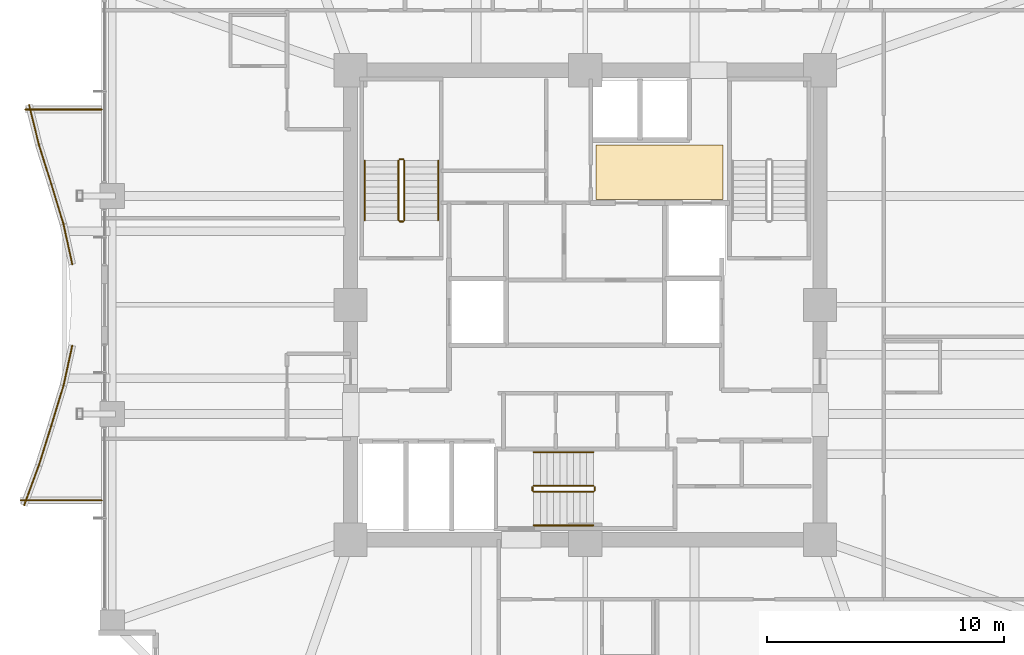
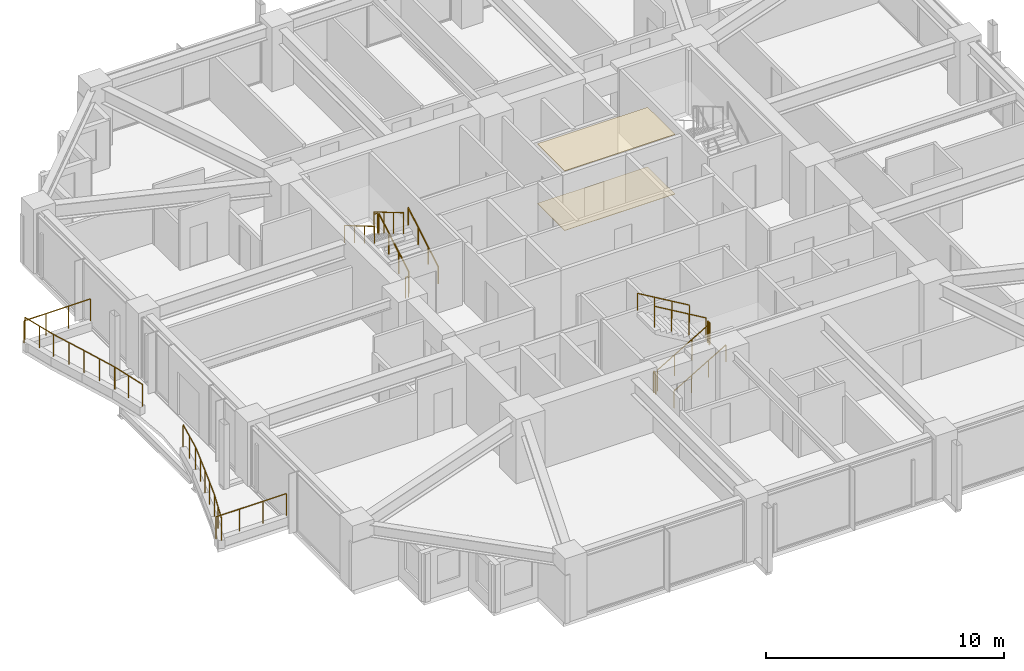
# One storey, part 36 of 37: 22 railings, 2 coverings.
"""IFC4 building model written with IfcOpenShell, lengths in metres."""

from ifc_helpers import new_model, si_unit, direction, frame, origin, origin_2d, place, context, subcontext, project, spatial, polyline, circle, outline, extrude, material, layer, layer_set, type_object, element, save


model = new_model("IFC4")

# Units and contexts
model_context = context("Model", 3, precision=1e-05, world=origin(), true_north=direction((0.0, 1.0)))
body_context = subcontext(model_context, "Body", "Model", "MODEL_VIEW")
ifc_project = project(units=[si_unit("LENGTHUNIT", "METRE"), si_unit("AREAUNIT", "SQUARE_METRE"), si_unit("VOLUMEUNIT", "CUBIC_METRE"), si_unit("PLANEANGLEUNIT", "RADIAN"), si_unit("MASSUNIT", "GRAM", prefix="KILO")], contexts=[model_context])

# Site, building, storey
site_placement = place(None, origin())
site = spatial("IfcSite", under=ifc_project, at=site_placement, CompositionType="ELEMENT")
building_placement = place(site_placement, origin())
building = spatial("IfcBuilding", under=site, at=building_placement, Name="Kolvaren Belvedere", CompositionType="ELEMENT")
storey_placement = place(building_placement, frame((0.0, 0.0, 82.10009765625)))
storey = spatial("IfcBuildingStorey", under=building, at=storey_placement, Name="L23", CompositionType="ELEMENT", Elevation=82.10009765625)

# Coverings
ifc_material_1 = material(Name="Acoustic perforated gypsum board", Category="gypsum")
ifc_layer_1 = layer(ifc_material_1, 0.02490234375)
ifc_layer_set_1 = layer_set([ifc_layer_1], Name="Acoustic perforated gypsum board")
covering_type_1 = type_object("IfcCoveringType", Name="COV-CEIL-GYP", PredefinedType="CEILING", material=ifc_layer_set_1)
covering_1_placement = place(storey_placement, frame((0.0, 0.0, 3.054931640625)))
element("IfcCovering", 1, at=covering_1_placement, inside=storey, type_object=covering_type_1, Name="L23 Lift Lobby Acoustic Baffle Ceiling", PredefinedType="CEILING", context=body_context, shape_type="SweptSolid", body=[
    extrude(outline(polyline([(0.449951171875, 4.449951171875), (5.800048828125, 4.449951171875), (5.800048828125, 6.75), (0.449951171875, 6.75), (0.449951171875, 4.449951171875)])), origin(), (0.0, 0.0, 1.0), 0.02490234375),
])
ifc_material_2 = material(Name="Engineered Pacific white oak", Category="timber")
ifc_layer_2 = layer(ifc_material_2, 0.02001953125)
ifc_layer_set_2 = layer_set([ifc_layer_2], Name="Engineered Pacific white oak")
covering_type_2 = type_object("IfcCoveringType", Name="COV-FLR-OAK", PredefinedType="FLOORING", material=ifc_layer_set_2)
covering_2_placement = place(storey_placement, origin())
element("IfcCovering", 2, at=covering_2_placement, inside=storey, type_object=covering_type_2, Name="L23 Lift Lobby Finish Flooring", PredefinedType="FLOORING", context=body_context, shape_type="SweptSolid", body=[
    extrude(outline(polyline([(0.449951171875, 4.449951171875), (5.800048828125, 4.449951171875), (5.800048828125, 6.75), (0.449951171875, 6.75), (0.449951171875, 4.449951171875)])), origin(), (0.0, 0.0, 1.0), 0.02001953125),
])

# Railings
ifc_material_3 = material(Name="Anodised pale-metal aluminium & laminated glass guard", Category="aluminium")
railing_type_1 = type_object("IfcRailingType", Name="RL-GUARD-1150", PredefinedType="GUARDRAIL", material=ifc_material_3)
railing_1_placement = place(storey_placement, frame((-23.458251953125, 8.438232421875, 0.3798828125)))
element("IfcRailing", 3, at=railing_1_placement, inside=storey, type_object=railing_type_1, Name="L23 Exterior Deck Safety Guard BAL-W-1", PredefinedType="GUARDRAIL", context=body_context, shape_type="SweptSolid", body=[
    extrude(circle(Radius=0.02392578125, at=origin_2d()), frame((0.0, 0.0, 1.1259765625), z_axis=(0.239180748277, -0.970975061293, 0.0), x_axis=(0.970975061293, 0.239180748277, 0.0)), (0.0, 0.0, 1.0), 1.730224609375),
    extrude(circle(Radius=0.02099609375, at=origin_2d()), origin(), (0.0, 0.0, 1.0), 1.101806640625),
    extrude(circle(Radius=0.02099609375, at=origin_2d()), frame((0.20703125, -0.83984375, 0.0)), (0.0, 0.0, 1.0), 1.101806640625),
    extrude(circle(Radius=0.02099609375, at=origin_2d()), frame((0.413818359375, -1.679931640625, 0.0)), (0.0, 0.0, 1.0), 1.101806640625),
])
railing_2_placement = place(storey_placement, frame((-23.047119140625, 6.767822265625, 0.3798828125)))
element("IfcRailing", 4, at=railing_2_placement, inside=storey, type_object=railing_type_1, Name="L23 Exterior Deck Safety Guard BAL-W-2", PredefinedType="GUARDRAIL", context=body_context, shape_type="SweptSolid", body=[
    extrude(circle(Radius=0.02392578125, at=origin_2d()), frame((0.0, 0.0, 1.1259765625), z_axis=(0.299624691176, -0.954057149461, 0.0), x_axis=(0.954057149461, 0.299624691176, 0.0)), (0.0, 0.0, 1.0), 1.7607421875),
    extrude(circle(Radius=0.02099609375, at=origin_2d()), origin(), (0.0, 0.0, 1.0), 1.101806640625),
    extrude(circle(Radius=0.02099609375, at=origin_2d()), frame((0.263671875, -0.83984375, 0.0)), (0.0, 0.0, 1.0), 1.101806640625),
    extrude(circle(Radius=0.02099609375, at=origin_2d()), frame((0.527587890625, -1.679931640625, 0.0)), (0.0, 0.0, 1.0), 1.101806640625),
])
railing_3_placement = place(storey_placement, frame((-22.51904296875, 5.086669921875, 0.3798828125)))
element("IfcRailing", 5, at=railing_3_placement, inside=storey, type_object=railing_type_1, Name="L23 Exterior Deck Safety Guard BAL-W-3", PredefinedType="GUARDRAIL", context=body_context, shape_type="SweptSolid", body=[
    extrude(circle(Radius=0.02392578125, at=origin_2d()), frame((0.0, 0.0, 1.1259765625), z_axis=(0.290840734999, -0.956771481005, 0.0), x_axis=(0.956771481005, 0.290840734999, 0.0)), (0.0, 0.0, 1.0), 1.756103515625),
    extrude(circle(Radius=0.02099609375, at=origin_2d()), origin(), (0.0, 0.0, 1.0), 1.101806640625),
    extrude(circle(Radius=0.02099609375, at=origin_2d()), frame((0.25537109375, -0.840087890625, 0.0)), (0.0, 0.0, 1.0), 1.101806640625),
    extrude(circle(Radius=0.02099609375, at=origin_2d()), frame((0.5107421875, -1.68017578125, 0.0)), (0.0, 0.0, 1.0), 1.101806640625),
])
railing_4_placement = place(storey_placement, frame((-22.0048828125, 3.394287109375, 0.3798828125)))
element("IfcRailing", 6, at=railing_4_placement, inside=storey, type_object=railing_type_1, Name="L23 Exterior Deck Safety Guard BAL-W-4", PredefinedType="GUARDRAIL", context=body_context, shape_type="SweptSolid", body=[
    extrude(circle(Radius=0.02392578125, at=origin_2d()), frame((0.0, 0.0, 1.1259765625), z_axis=(0.213773077423, -0.976883345835, 0.0), x_axis=(0.976883345835, 0.213773077423, 0.0)), (0.0, 0.0, 1.0), 1.719970703125),
    extrude(circle(Radius=0.02099609375, at=origin_2d()), origin(), (0.0, 0.0, 1.0), 1.101806640625),
    extrude(circle(Radius=0.02099609375, at=origin_2d()), frame((0.183837890625, -0.840087890625, 0.0)), (0.0, 0.0, 1.0), 1.101806640625),
    extrude(circle(Radius=0.02099609375, at=origin_2d()), frame((0.36767578125, -1.68017578125, 0.0)), (0.0, 0.0, 1.0), 1.101806640625),
])
railing_5_placement = place(storey_placement, frame((-21.63720703125, -1.714111328125, 0.3798828125)))
element("IfcRailing", 7, at=railing_5_placement, inside=storey, type_object=railing_type_1, Name="L23 Exterior Deck Safety Guard BAL-W-7", PredefinedType="GUARDRAIL", context=body_context, shape_type="SweptSolid", body=[
    extrude(circle(Radius=0.02392578125, at=origin_2d()), frame((0.0, 0.0, 1.1259765625), z_axis=(-0.213773077423, -0.976883345835, 0.0), x_axis=(0.976883345835, -0.213773077423, 0.0)), (0.0, 0.0, 1.0), 1.719970703125),
    extrude(circle(Radius=0.02099609375, at=origin_2d()), origin(), (0.0, 0.0, 1.0), 1.101806640625),
    extrude(circle(Radius=0.02099609375, at=origin_2d()), frame((-0.183837890625, -0.840087890625, 0.0)), (0.0, 0.0, 1.0), 1.101806640625),
    extrude(circle(Radius=0.02099609375, at=origin_2d()), frame((-0.36767578125, -1.68017578125, 0.0)), (0.0, 0.0, 1.0), 1.101806640625),
])
railing_6_placement = place(storey_placement, frame((-22.00830078125, -3.406494140625, 0.3798828125)))
element("IfcRailing", 8, at=railing_6_placement, inside=storey, type_object=railing_type_1, Name="L23 Exterior Deck Safety Guard BAL-W-8", PredefinedType="GUARDRAIL", context=body_context, shape_type="SweptSolid", body=[
    extrude(circle(Radius=0.02392578125, at=origin_2d()), frame((0.0, 0.0, 1.1259765625), z_axis=(-0.290840734999, -0.956771481005, 0.0), x_axis=(0.956771481005, -0.290840734999, 0.0)), (0.0, 0.0, 1.0), 1.756103515625),
    extrude(circle(Radius=0.02099609375, at=origin_2d()), origin(), (0.0, 0.0, 1.0), 1.101806640625),
    extrude(circle(Radius=0.02099609375, at=origin_2d()), frame((-0.25537109375, -0.840087890625, 0.0)), (0.0, 0.0, 1.0), 1.101806640625),
    extrude(circle(Radius=0.02099609375, at=origin_2d()), frame((-0.5107421875, -1.68017578125, 0.0)), (0.0, 0.0, 1.0), 1.101806640625),
])
railing_7_placement = place(storey_placement, frame((-22.51953125, -5.087890625, 0.3798828125)))
element("IfcRailing", 9, at=railing_7_placement, inside=storey, type_object=railing_type_1, Name="L23 Exterior Deck Safety Guard BAL-W-9", PredefinedType="GUARDRAIL", context=body_context, shape_type="SweptSolid", body=[
    extrude(circle(Radius=0.02392578125, at=origin_2d()), frame((0.0, 0.0, 1.1259765625), z_axis=(-0.299624691176, -0.954057149461, 0.0), x_axis=(0.954057149461, -0.299624691176, 0.0)), (0.0, 0.0, 1.0), 1.7607421875),
    extrude(circle(Radius=0.02099609375, at=origin_2d()), origin(), (0.0, 0.0, 1.0), 1.101806640625),
    extrude(circle(Radius=0.02099609375, at=origin_2d()), frame((-0.263671875, -0.83984375, 0.0)), (0.0, 0.0, 1.0), 1.101806640625),
    extrude(circle(Radius=0.02099609375, at=origin_2d()), frame((-0.527587890625, -1.679931640625, 0.0)), (0.0, 0.0, 1.0), 1.101806640625),
])
railing_8_placement = place(storey_placement, frame((-23.0498046875, -6.775390625, 0.3798828125)))
element("IfcRailing", 10, at=railing_8_placement, inside=storey, type_object=railing_type_1, Name="L23 Exterior Deck Safety Guard BAL-W-10", PredefinedType="GUARDRAIL", context=body_context, shape_type="SweptSolid", body=[
    extrude(circle(Radius=0.02392578125, at=origin_2d()), frame((0.0, 0.0, 1.1259765625), z_axis=(-0.346292864983, -0.938126458246, 0.0), x_axis=(0.938126458246, -0.346292864983, 0.0)), (0.0, 0.0, 1.0), 1.790771484375),
    extrude(circle(Radius=0.02099609375, at=origin_2d()), origin(), (0.0, 0.0, 1.0), 1.101806640625),
    extrude(circle(Radius=0.02099609375, at=origin_2d()), frame((-0.31005859375, -0.83984375, 0.0)), (0.0, 0.0, 1.0), 1.101806640625),
    extrude(circle(Radius=0.02099609375, at=origin_2d()), frame((-0.6201171875, -1.679931640625, 0.0)), (0.0, 0.0, 1.0), 1.101806640625),
])
railing_9_placement = place(storey_placement, frame((-23.820068359375, -8.239990234375, 0.3798828125)))
element("IfcRailing", 11, at=railing_9_placement, inside=storey, type_object=railing_type_1, Name="L23 Exterior Deck Safety Guard BAL-W-11", PredefinedType="GUARDRAIL", context=body_context, shape_type="SweptSolid", body=[
    extrude(circle(Radius=0.02392578125, at=origin_2d()), frame((0.0, 0.0, 1.1259765625), z_axis=(1.0, 0.0, 0.0), x_axis=(0.0, 1.0, 0.0)), (0.0, 0.0, 1.0), 3.420166015625),
    extrude(circle(Radius=0.02099609375, at=origin_2d()), origin(), (0.0, 0.0, 1.0), 1.101806640625),
    extrude(circle(Radius=0.02099609375, at=origin_2d()), frame((1.14013671875, 0.0, 0.0)), (0.0, 0.0, 1.0), 1.101806640625),
    extrude(circle(Radius=0.02099609375, at=origin_2d()), frame((2.280029296875, 0.0, 0.0)), (0.0, 0.0, 1.0), 1.101806640625),
    extrude(circle(Radius=0.02099609375, at=origin_2d()), frame((3.420166015625, 0.0, 0.0)), (0.0, 0.0, 1.0), 1.101806640625),
])
railing_10_placement = place(storey_placement, frame((-20.39990234375, 8.239990234375, 0.3798828125)))
element("IfcRailing", 12, at=railing_10_placement, inside=storey, type_object=railing_type_1, Name="L23 Exterior Deck Safety Guard BAL-W-22", PredefinedType="GUARDRAIL", context=body_context, shape_type="SweptSolid", body=[
    extrude(circle(Radius=0.02392578125, at=origin_2d()), frame((0.0, 0.0, 1.1259765625), z_axis=(-1.0, 0.0, 0.0), x_axis=(0.0, -1.0, 0.0)), (0.0, 0.0, 1.0), 3.2138671875),
    extrude(circle(Radius=0.02099609375, at=origin_2d()), origin(), (0.0, 0.0, 1.0), 1.101806640625),
    extrude(circle(Radius=0.02099609375, at=origin_2d()), frame((-1.0712890625, 0.0, 0.0)), (0.0, 0.0, 1.0), 1.101806640625),
    extrude(circle(Radius=0.02099609375, at=origin_2d()), frame((-2.142578125, 0.0, 0.0)), (0.0, 0.0, 1.0), 1.101806640625),
    extrude(circle(Radius=0.02099609375, at=origin_2d()), frame((-3.2138671875, 0.0, 0.0)), (0.0, 0.0, 1.0), 1.101806640625),
])
ifc_material_4 = material(Name="Brushed stainless-steel handrail", Category="steel")
railing_type_2 = type_object("IfcRailingType", Name="RL-HANDRAIL-920", PredefinedType="HANDRAIL", material=ifc_material_4)
railing_11_placement = place(storey_placement, frame((-6.2099609375, 3.570068359375, 0.164794921875)))
element("IfcRailing", 13, at=railing_11_placement, inside=storey, type_object=railing_type_2, Name="L23 ST-1 stair handrail 1", PredefinedType="HANDRAIL", context=body_context, shape_type="SweptSolid", body=[
    extrude(circle(Radius=0.02392578125, at=origin_2d()), frame((0.0, 0.0, 0.8759765625), z_axis=(0.0, 0.86152411907, 0.507716645641), x_axis=(-1.0, 0.0, 0.0)), (0.0, 0.0, 1.0), 2.925048828125),
    extrude(circle(Radius=0.02099609375, at=origin_2d()), origin(), (0.0, 0.0, 1.0), 0.851806640625),
    extrude(circle(Radius=0.02099609375, at=origin_2d()), frame((0.0, 0.840087890625, 0.4951171875)), (0.0, 0.0, 1.0), 0.851806640625),
    extrude(circle(Radius=0.02099609375, at=origin_2d()), frame((0.0, 1.679931640625, 0.989990234375)), (0.0, 0.0, 1.0), 0.851806640625),
    extrude(circle(Radius=0.02099609375, at=origin_2d()), frame((0.0, 2.52001953125, 1.485107421875)), (0.0, 0.0, 1.0), 0.851806640625),
])
railing_12_placement = place(storey_placement, frame((-9.300048828125, 6.090087890625, 1.81494140625)))
element("IfcRailing", 14, at=railing_12_placement, inside=storey, type_object=railing_type_2, Name="L23 ST-1 stair handrail 2", PredefinedType="HANDRAIL", context=body_context, shape_type="SweptSolid", body=[
    extrude(circle(Radius=0.02392578125, at=origin_2d()), frame((0.0, 0.0, 0.8759765625), z_axis=(0.0, -0.861560626758, 0.507654692109), x_axis=(1.0, 0.0, 0.0)), (0.0, 0.0, 1.0), 2.925048828125),
    extrude(circle(Radius=0.02099609375, at=origin_2d()), origin(), (0.0, 0.0, 1.0), 0.851806640625),
    extrude(circle(Radius=0.02099609375, at=origin_2d()), frame((0.0, -0.840087890625, 0.494873046875)), (0.0, 0.0, 1.0), 0.851806640625),
    extrude(circle(Radius=0.02099609375, at=origin_2d()), frame((0.0, -1.679931640625, 0.989990234375)), (0.0, 0.0, 1.0), 0.851806640625),
    extrude(circle(Radius=0.02099609375, at=origin_2d()), frame((0.0, -2.52001953125, 1.48486328125)), (0.0, 0.0, 1.0), 0.851806640625),
])
railing_13_placement = place(storey_placement, frame((-2.179931640625, -9.300048828125, 0.164794921875)))
element("IfcRailing", 15, at=railing_13_placement, inside=storey, type_object=railing_type_2, Name="L23 ST-3 stair handrail 1", PredefinedType="HANDRAIL", context=body_context, shape_type="SweptSolid", body=[
    extrude(circle(Radius=0.02392578125, at=origin_2d()), frame((0.0, 0.0, 0.8759765625), z_axis=(0.86152411907, 0.0, 0.507716645641), x_axis=(0.0, 1.0, 0.0)), (0.0, 0.0, 1.0), 2.925048828125),
    extrude(circle(Radius=0.02099609375, at=origin_2d()), origin(), (0.0, 0.0, 1.0), 0.851806640625),
    extrude(circle(Radius=0.02099609375, at=origin_2d()), frame((0.840087890625, 0.0, 0.4951171875)), (0.0, 0.0, 1.0), 0.851806640625),
    extrude(circle(Radius=0.02099609375, at=origin_2d()), frame((1.679931640625, 0.0, 0.989990234375)), (0.0, 0.0, 1.0), 0.851806640625),
    extrude(circle(Radius=0.02099609375, at=origin_2d()), frame((2.52001953125, 0.0, 1.485107421875)), (0.0, 0.0, 1.0), 0.851806640625),
])
railing_14_placement = place(storey_placement, frame((0.340087890625, -6.2099609375, 1.81494140625)))
element("IfcRailing", 16, at=railing_14_placement, inside=storey, type_object=railing_type_2, Name="L23 ST-3 stair handrail 2", PredefinedType="HANDRAIL", context=body_context, shape_type="SweptSolid", body=[
    extrude(circle(Radius=0.02392578125, at=origin_2d()), frame((0.0, 0.0, 0.8759765625), z_axis=(-0.861560626758, 0.0, 0.507654692109), x_axis=(0.0, -1.0, 0.0)), (0.0, 0.0, 1.0), 2.925048828125),
    extrude(circle(Radius=0.02099609375, at=origin_2d()), origin(), (0.0, 0.0, 1.0), 0.851806640625),
    extrude(circle(Radius=0.02099609375, at=origin_2d()), frame((-0.840087890625, 0.0, 0.494873046875)), (0.0, 0.0, 1.0), 0.851806640625),
    extrude(circle(Radius=0.02099609375, at=origin_2d()), frame((-1.679931640625, 0.0, 0.989990234375)), (0.0, 0.0, 1.0), 0.851806640625),
    extrude(circle(Radius=0.02099609375, at=origin_2d()), frame((-2.52001953125, 0.0, 1.48486328125)), (0.0, 0.0, 1.0), 0.851806640625),
])
ifc_material_5 = material(Name="Painted tubular steel stair guard", Category="steel")
railing_type_3 = type_object("IfcRailingType", Name="RL-STGUARD-1100", PredefinedType="GUARDRAIL", material=ifc_material_5)
railing_15_placement = place(storey_placement, frame((-7.6298828125, 3.570068359375, 0.164794921875)))
element("IfcRailing", 17, at=railing_15_placement, inside=storey, type_object=railing_type_3, Name="L23 ST-1 stair guard 1", PredefinedType="GUARDRAIL", context=body_context, shape_type="SweptSolid", body=[
    extrude(circle(Radius=0.02392578125, at=origin_2d()), frame((0.0, 0.0, 1.076171875), z_axis=(0.0, 0.86152411907, 0.507716645641), x_axis=(-1.0, 0.0, 0.0)), (0.0, 0.0, 1.0), 2.925048828125),
    extrude(circle(Radius=0.02099609375, at=origin_2d()), origin(), (0.0, 0.0, 1.0), 1.052001953125),
    extrude(circle(Radius=0.02099609375, at=origin_2d()), frame((0.0, 0.840087890625, 0.4951171875)), (0.0, 0.0, 1.0), 1.052001953125),
    extrude(circle(Radius=0.02099609375, at=origin_2d()), frame((0.0, 1.679931640625, 0.989990234375)), (0.0, 0.0, 1.0), 1.052001953125),
    extrude(circle(Radius=0.02099609375, at=origin_2d()), frame((0.0, 2.52001953125, 1.485107421875)), (0.0, 0.0, 1.0), 1.052001953125),
])
railing_16_placement = place(storey_placement, frame((-7.679931640625, 6.139892578125, 1.64990234375)))
element("IfcRailing", 18, at=railing_16_placement, inside=storey, type_object=railing_type_3, Name="L23 ST-1 stair guard 2", PredefinedType="GUARDRAIL", context=body_context, shape_type="SweptSolid", body=[
    extrude(circle(Radius=0.02392578125, at=origin_2d()), frame((0.0, 0.0, 1.076171875), z_axis=(-1.0, 0.0, 0.0), x_axis=(0.0, -1.0, 0.0)), (0.0, 0.0, 1.0), 0.150146484375),
    extrude(circle(Radius=0.02099609375, at=origin_2d()), origin(), (0.0, 0.0, 1.0), 1.052001953125),
    extrude(circle(Radius=0.02099609375, at=origin_2d()), frame((-0.150146484375, 0.0, 0.0)), (0.0, 0.0, 1.0), 1.052001953125),
])
railing_17_placement = place(storey_placement, frame((-7.8798828125, 6.090087890625, 1.81494140625)))
element("IfcRailing", 19, at=railing_17_placement, inside=storey, type_object=railing_type_3, Name="L23 ST-1 stair guard 3", PredefinedType="GUARDRAIL", context=body_context, shape_type="SweptSolid", body=[
    extrude(circle(Radius=0.02392578125, at=origin_2d()), frame((0.0, 0.0, 1.076171875), z_axis=(0.0, -0.861560626758, 0.507654692109), x_axis=(1.0, 0.0, 0.0)), (0.0, 0.0, 1.0), 2.925048828125),
    extrude(circle(Radius=0.02099609375, at=origin_2d()), origin(), (0.0, 0.0, 1.0), 1.052001953125),
    extrude(circle(Radius=0.02099609375, at=origin_2d()), frame((0.0, -0.840087890625, 0.494873046875)), (0.0, 0.0, 1.0), 1.052001953125),
    extrude(circle(Radius=0.02099609375, at=origin_2d()), frame((0.0, -1.679931640625, 0.989990234375)), (0.0, 0.0, 1.0), 1.052001953125),
    extrude(circle(Radius=0.02099609375, at=origin_2d()), frame((0.0, -2.52001953125, 1.48486328125)), (0.0, 0.0, 1.0), 1.052001953125),
])
railing_18_placement = place(storey_placement, frame((-7.679931640625, 3.52001953125, 0.0)))
element("IfcRailing", 20, at=railing_18_placement, inside=storey, type_object=railing_type_3, Name="L23 ST-1 stair guard 4", PredefinedType="GUARDRAIL", context=body_context, shape_type="SweptSolid", body=[
    extrude(circle(Radius=0.02392578125, at=origin_2d()), frame((0.0, 0.0, 1.076171875), z_axis=(-1.0, 0.0, 0.0), x_axis=(0.0, -1.0, 0.0)), (0.0, 0.0, 1.0), 0.150146484375),
    extrude(circle(Radius=0.02099609375, at=origin_2d()), origin(), (0.0, 0.0, 1.0), 1.052001953125),
    extrude(circle(Radius=0.02099609375, at=origin_2d()), frame((-0.150146484375, 0.0, 0.0)), (0.0, 0.0, 1.0), 1.052001953125),
])
railing_19_placement = place(storey_placement, frame((-2.179931640625, -7.8798828125, 0.164794921875)))
element("IfcRailing", 21, at=railing_19_placement, inside=storey, type_object=railing_type_3, Name="L23 ST-3 stair guard 1", PredefinedType="GUARDRAIL", context=body_context, shape_type="SweptSolid", body=[
    extrude(circle(Radius=0.02392578125, at=origin_2d()), frame((0.0, 0.0, 1.076171875), z_axis=(0.86152411907, 0.0, 0.507716645641), x_axis=(0.0, 1.0, 0.0)), (0.0, 0.0, 1.0), 2.925048828125),
    extrude(circle(Radius=0.02099609375, at=origin_2d()), origin(), (0.0, 0.0, 1.0), 1.052001953125),
    extrude(circle(Radius=0.02099609375, at=origin_2d()), frame((0.840087890625, 0.0, 0.4951171875)), (0.0, 0.0, 1.0), 1.052001953125),
    extrude(circle(Radius=0.02099609375, at=origin_2d()), frame((1.679931640625, 0.0, 0.989990234375)), (0.0, 0.0, 1.0), 1.052001953125),
    extrude(circle(Radius=0.02099609375, at=origin_2d()), frame((2.52001953125, 0.0, 1.485107421875)), (0.0, 0.0, 1.0), 1.052001953125),
])
railing_20_placement = place(storey_placement, frame((0.389892578125, -7.830078125, 1.64990234375)))
element("IfcRailing", 22, at=railing_20_placement, inside=storey, type_object=railing_type_3, Name="L23 ST-3 stair guard 2", PredefinedType="GUARDRAIL", context=body_context, shape_type="SweptSolid", body=[
    extrude(circle(Radius=0.02392578125, at=origin_2d()), frame((0.0, 0.0, 1.076171875), z_axis=(0.0, 1.0, 0.0), x_axis=(-1.0, 0.0, 0.0)), (0.0, 0.0, 1.0), 0.150146484375),
    extrude(circle(Radius=0.02099609375, at=origin_2d()), origin(), (0.0, 0.0, 1.0), 1.052001953125),
    extrude(circle(Radius=0.02099609375, at=origin_2d()), frame((0.0, 0.150146484375, 0.0)), (0.0, 0.0, 1.0), 1.052001953125),
])
railing_21_placement = place(storey_placement, frame((0.340087890625, -7.6298828125, 1.81494140625)))
element("IfcRailing", 23, at=railing_21_placement, inside=storey, type_object=railing_type_3, Name="L23 ST-3 stair guard 3", PredefinedType="GUARDRAIL", context=body_context, shape_type="SweptSolid", body=[
    extrude(circle(Radius=0.02392578125, at=origin_2d()), frame((0.0, 0.0, 1.076171875), z_axis=(-0.861560626758, 0.0, 0.507654692109), x_axis=(0.0, -1.0, 0.0)), (0.0, 0.0, 1.0), 2.925048828125),
    extrude(circle(Radius=0.02099609375, at=origin_2d()), origin(), (0.0, 0.0, 1.0), 1.052001953125),
    extrude(circle(Radius=0.02099609375, at=origin_2d()), frame((-0.840087890625, 0.0, 0.494873046875)), (0.0, 0.0, 1.0), 1.052001953125),
    extrude(circle(Radius=0.02099609375, at=origin_2d()), frame((-1.679931640625, 0.0, 0.989990234375)), (0.0, 0.0, 1.0), 1.052001953125),
    extrude(circle(Radius=0.02099609375, at=origin_2d()), frame((-2.52001953125, 0.0, 1.48486328125)), (0.0, 0.0, 1.0), 1.052001953125),
])
railing_22_placement = place(storey_placement, frame((-2.22998046875, -7.830078125, 0.0)))
element("IfcRailing", 24, at=railing_22_placement, inside=storey, type_object=railing_type_3, Name="L23 ST-3 stair guard 4", PredefinedType="GUARDRAIL", context=body_context, shape_type="SweptSolid", body=[
    extrude(circle(Radius=0.02392578125, at=origin_2d()), frame((0.0, 0.0, 1.076171875), z_axis=(0.0, 1.0, 0.0), x_axis=(-1.0, 0.0, 0.0)), (0.0, 0.0, 1.0), 0.150146484375),
    extrude(circle(Radius=0.02099609375, at=origin_2d()), origin(), (0.0, 0.0, 1.0), 1.052001953125),
    extrude(circle(Radius=0.02099609375, at=origin_2d()), frame((0.0, 0.150146484375, 0.0)), (0.0, 0.0, 1.0), 1.052001953125),
])

save(model, "model.ifc")
